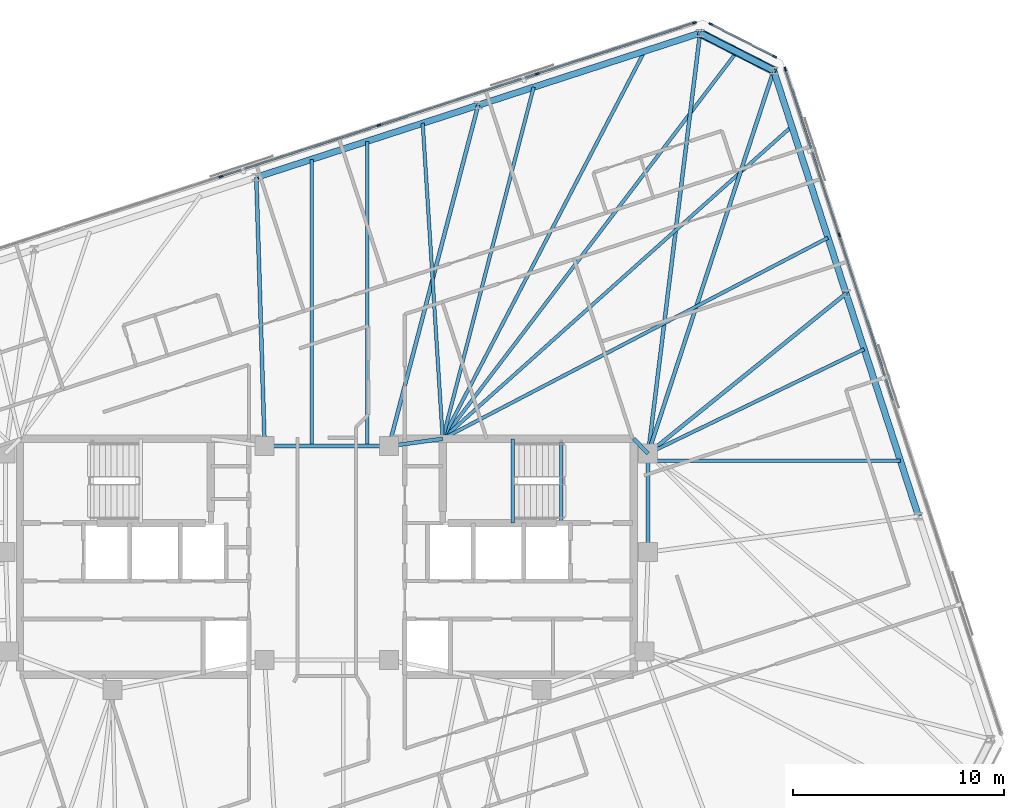
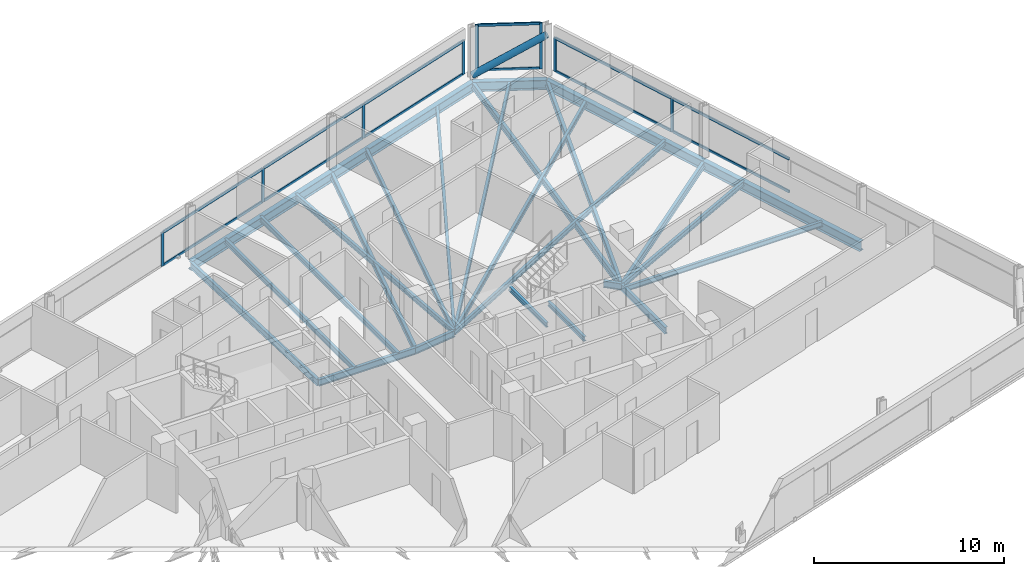
# One storey, part 10 of 19: 26 beams, 21 members, 3 elements without a shape of their own.
"""IFC4 building model written with IfcOpenShell, lengths in metres."""

import ifcopenshell
import ifcopenshell.guid

model = None  # the IFC model being written
_history = None  # IfcOwnerHistory: only IFC2X3 demands one
_inside = {}  # id of a spatial element -> (the spatial element, [elements in it])
_under = {}  # id of a project, library or spatial element -> (it, [spatial elements below it])
_declared = {}  # id of a project -> (the project, [libraries it declares])
_typed = {}  # id of a type object -> (the type object, [elements of that type])
_made_of = {}  # id of a material, layer set ... -> (it, [elements and type objects made of it])


def new_model(schema):
    """Start an empty IFC model of exactly this schema.

    Asked for "IFC4X3", IfcOpenShell would pick the latest addendum, in which some entities
    have other attributes; the version numbers below select the first issue.
    IFC2X3 requires an IfcOwnerHistory on every rooted entity: one is made here for all.
    """
    global model, _history
    if schema == "IFC4X3":
        model = ifcopenshell.file(schema_version=(4, 3, 0, 0))
    else:
        model = ifcopenshell.file(schema=schema)
    _inside.clear()
    _under.clear()
    _declared.clear()
    _typed.clear()
    _made_of.clear()
    _history = None
    if model.schema == "IFC2X3":
        org = make("IfcOrganization", Name="unknown")
        user = make(
            "IfcPersonAndOrganization",
            ThePerson=make("IfcPerson", FamilyName="unknown"),
            TheOrganization=org,
        )
        app = make(
            "IfcApplication",
            ApplicationDeveloper=org,
            Version="unknown",
            ApplicationFullName="unknown",
            ApplicationIdentifier="unknown",
        )
        _history = make(
            "IfcOwnerHistory",
            OwningUser=user,
            OwningApplication=app,
            ChangeAction="ADDED",
            CreationDate=0,
        )
    return model


def make(cls, **values):
    """One entity of the class cls with the attributes given. An attribute that is None is left unset."""
    return model.create_entity(
        cls, **{name: value for name, value in values.items() if value is not None}
    )


def rooted(cls, **values):
    """An entity with a GlobalId (a new one), such as an element, a storey or a relation."""
    return make(cls, GlobalId=ifcopenshell.guid.new(), OwnerHistory=_history, **values)


def si_unit(unit_type, name, prefix=None):
    """IfcSIUnit, for example si_unit("LENGTHUNIT", "METRE", prefix="MILLI")."""
    return make("IfcSIUnit", UnitType=unit_type, Prefix=prefix, Name=name)


def assignment(units):
    """IfcUnitAssignment: the units of a project."""
    return None if units is None else make("IfcUnitAssignment", Units=units)


def point(xyz):
    """IfcCartesianPoint."""
    return None if xyz is None else make("IfcCartesianPoint", Coordinates=xyz)


def direction(xyz):
    """IfcDirection."""
    return None if xyz is None else make("IfcDirection", DirectionRatios=xyz)


def frame(location, z_axis=None, x_axis=None):
    """IfcAxis2Placement3D, a coordinate frame: its origin and axes. An axis left out is left unset."""
    return make(
        "IfcAxis2Placement3D",
        Location=point(location),
        Axis=direction(z_axis),
        RefDirection=direction(x_axis),
    )


def frame_2d(location, x_axis=None):
    """IfcAxis2Placement2D, a coordinate frame in the plane: its origin and x axis."""
    return make(
        "IfcAxis2Placement2D", Location=point(location), RefDirection=direction(x_axis)
    )


def origin():
    """The frame at (0, 0, 0) with its axes left unset."""
    return frame((0.0, 0.0, 0.0))


def origin_2d():
    """The frame at (0, 0) in the plane with its x axis left unset."""
    return frame_2d((0.0, 0.0))


def place(relative_to, where):
    """IfcLocalPlacement: puts the frame where relative to a parent placement (None: the world)."""
    return make(
        "IfcLocalPlacement", PlacementRelTo=relative_to, RelativePlacement=where
    )


def context(
    kind, dimensions, precision=None, world=None, true_north=None, identifier=None
):
    """IfcGeometricRepresentationContext, for example the 3D "Model" context."""
    return make(
        "IfcGeometricRepresentationContext",
        ContextIdentifier=identifier,
        ContextType=kind,
        CoordinateSpaceDimension=dimensions,
        Precision=precision,
        WorldCoordinateSystem=world,
        TrueNorth=true_north,
    )


def subcontext(parent, identifier, kind, view, scale=None):
    """IfcGeometricRepresentationSubContext, for example "Body" below "Model"."""
    return make(
        "IfcGeometricRepresentationSubContext",
        ContextIdentifier=identifier,
        ContextType=kind,
        ParentContext=parent,
        TargetScale=scale,
        TargetView=view,
    )


def project(units=None, contexts=None):
    """IfcProject with its units and contexts."""
    return rooted(
        "IfcProject",
        Name="project",
        RepresentationContexts=contexts,
        UnitsInContext=assignment(units),
    )


def spatial(cls, under=None, at=None, **own):
    """A site, building, storey or space (cls), placed at a placement, below another one or the project."""
    s = rooted(cls, ObjectPlacement=at, **own)
    if under is not None:
        _under.setdefault(under.id(), (under, []))[1].append(s)
    return s


def profile(cls, at=None, kind="AREA", **sizes):
    """A parametric profile (cls). Its sizes go by their IFC names, for example OverallWidth=200.0."""
    return make(cls, ProfileType=kind, Position=at, **sizes)


def rectangle(**sizes):
    """IfcRectangleProfileDef."""
    return profile("IfcRectangleProfileDef", **sizes)


def hollow_circle(**sizes):
    """IfcCircleHollowProfileDef."""
    return profile("IfcCircleHollowProfileDef", **sizes)


def i_section(**sizes):
    """IfcIShapeProfileDef."""
    return profile("IfcIShapeProfileDef", **sizes)


def extrude(swept, where, along, depth):
    """IfcExtrudedAreaSolid: the profile swept, set in the frame where, extruded along a direction by depth."""
    return make(
        "IfcExtrudedAreaSolid",
        SweptArea=swept,
        Position=where,
        ExtrudedDirection=direction(along),
        Depth=depth,
    )


def shape(context_of_items, identifier, shape_type, items):
    """IfcShapeRepresentation: the items that make up one representation, for example the "Body"."""
    return make(
        "IfcShapeRepresentation",
        ContextOfItems=context_of_items,
        RepresentationIdentifier=identifier,
        RepresentationType=shape_type,
        Items=items,
    )


def material(Name=None, Category=None):
    """IfcMaterial."""
    return make("IfcMaterial", Name=Name, Category=Category)


def material_profile(
    of_material, cross_section, Name=None, Category=None, Priority=None
):
    """IfcMaterialProfile: a cross section and its material."""
    return make(
        "IfcMaterialProfile",
        Name=Name,
        Material=of_material,
        Profile=cross_section,
        Priority=Priority,
        Category=Category,
    )


def profile_set(profiles, Name=None, composite=None):
    """IfcMaterialProfileSet."""
    return make(
        "IfcMaterialProfileSet",
        Name=Name,
        MaterialProfiles=profiles,
        CompositeProfile=composite,
    )


def made_of(thing, what):
    """Note that an element or type object is made of a material, layer set ...; save() writes the relation."""
    if what is not None:
        _made_of.setdefault(what.id(), (what, []))[1].append(thing)
    return thing


def type_object(cls, material=None, **own):
    """A type object (cls), such as IfcWallType, which elements share."""
    return made_of(rooted(cls, **own), material)


def element(
    cls,
    number,
    at=None,
    inside=None,
    cuts=None,
    type_object=None,
    material=None,
    context=None,
    identifier="Body",
    shape_type=None,
    held_by="IfcProductDefinitionShape",
    body=None,
    shapes=None,
    **own,
):
    """One element of the class cls, such as IfcWall. Its Tag is "e" and its number.

    at: its placement. inside: the storey or other place that contains it. cuts: it is an
    opening in that element (IfcRelVoidsElement). A single representation is given by context,
    identifier, shape_type and body (its items); several are given by shapes. held_by: the class
    of the entity that holds the representations. save() writes the other relations.
    """
    e = rooted(cls, Tag="e%d" % number, ObjectPlacement=at, **own)
    if body is not None:
        shapes = [shape(context, identifier, shape_type, body)]
    if shapes is not None:
        e.Representation = make(held_by, Representations=shapes)
    if inside is not None:
        _inside.setdefault(inside.id(), (inside, []))[1].append(e)
    if cuts is not None:
        rooted(
            "IfcRelVoidsElement", RelatingBuildingElement=cuts, RelatedOpeningElement=e
        )
    if type_object is not None:
        _typed.setdefault(type_object.id(), (type_object, []))[1].append(e)
    return made_of(e, material)


def aggregate(whole, parts):
    """IfcRelAggregates: a whole, such as a stair, and the parts it consists of."""
    return rooted("IfcRelAggregates", RelatingObject=whole, RelatedObjects=parts)


def save(model, path):
    """Write the relations noted so far, then the file.

    IfcRelAggregates (storeys below a building ...), IfcRelContainedInSpatialStructure (elements
    in a storey), IfcRelDefinesByType, IfcRelAssociatesMaterial and IfcRelDeclares: one each for
    every whole, place, type object, material and project.
    """
    for whole, parts in _under.values():
        aggregate(whole, parts)
    for where, things in _inside.values():
        rooted(
            "IfcRelContainedInSpatialStructure",
            RelatedElements=things,
            RelatingStructure=where,
        )
    for kind, things in _typed.values():
        rooted("IfcRelDefinesByType", RelatedObjects=things, RelatingType=kind)
    for what, things in _made_of.values():
        rooted("IfcRelAssociatesMaterial", RelatedObjects=things, RelatingMaterial=what)
    for by, libraries in _declared.values():
        rooted("IfcRelDeclares", RelatingContext=by, RelatedDefinitions=libraries)
    model.write(path)


model = new_model("IFC4")

# Units and contexts
model_context = context("Model", 3, precision=1e-05, world=origin(), true_north=direction((0.0, 1.0)))
body_context = subcontext(model_context, "Body", "Model", "MODEL_VIEW")
ifc_project = project(units=[si_unit("LENGTHUNIT", "METRE"), si_unit("AREAUNIT", "SQUARE_METRE"), si_unit("VOLUMEUNIT", "CUBIC_METRE"), si_unit("PLANEANGLEUNIT", "RADIAN"), si_unit("MASSUNIT", "GRAM", prefix="KILO")], contexts=[model_context])

# Site, building, storey
site_placement = place(None, origin())
site = spatial("IfcSite", under=ifc_project, at=site_placement, CompositionType="ELEMENT")
building_placement = place(site_placement, origin())
building = spatial("IfcBuilding", under=site, at=building_placement, Name="Menara Jurai Vektor", CompositionType="ELEMENT")
storey_placement = place(building_placement, frame((0.0, 0.0, 251.10009765625)))
storey = spatial("IfcBuildingStorey", under=building, at=storey_placement, Name="L67", CompositionType="ELEMENT", Elevation=251.10009765625)

# Curtain wall, members
ifc_material_1 = material(Name="Anodised Pale Aluminium & Low-E Double Glazing", Category="aluminium")
curtain_wall_type = type_object("IfcCurtainWallType", Name="CW-BLK4", PredefinedType="NOTDEFINED", material=ifc_material_1)
curtain_wall_1_placement = place(storey_placement, origin())
curtain_wall_1 = element("IfcCurtainWall", 1, at=curtain_wall_1_placement, inside=storey, type_object=curtain_wall_type, Name="Unitised Curtain Wall L67 F03", PredefinedType="NOTDEFINED")
ifc_material_2 = material(Name="Anodised Pale Aluminium Mullion", Category="aluminium")
ifc_material_profile_1 = material_profile(ifc_material_2, rectangle(XDim=0.080078125, YDim=0.18994140625, at=origin_2d()), Name="ALU MUL 80x190")
ifc_profile_set_1 = profile_set([ifc_material_profile_1], Name="Anodised Pale Aluminium Mullion")
member_type_1 = type_object("IfcMemberType", Name="CW-BLK4-MUL", PredefinedType="MULLION", material=ifc_profile_set_1)
member_1_placement = place(storey_placement, frame((24.31494140625, 15.28271484375, 0.0), z_axis=(0.0, 0.0, 1.0), x_axis=(-0.95105668295, -0.309016481464, 0.0)))
member_1 = element("IfcMember", 2, at=member_1_placement, type_object=member_type_1, Name="CW-04 mullion 4", PredefinedType="MULLION", context=body_context, shape_type="SweptSolid", body=[
    extrude(rectangle(XDim=0.080078125, YDim=0.18994140625, at=origin_2d()), origin(), (0.0, 0.0, 1.0), 2.1748046875),
])
member_2_placement = place(storey_placement, frame((21.75927734375, 23.14794921875, 0.0), z_axis=(0.0, 0.0, 1.0), x_axis=(-0.95105668295, -0.309016481464, 0.0)))
member_2 = element("IfcMember", 3, at=member_2_placement, type_object=member_type_1, Name="CW-04 mullion 5", PredefinedType="MULLION", context=body_context, shape_type="SweptSolid", body=[
    extrude(rectangle(XDim=0.080078125, YDim=0.18994140625, at=origin_2d()), origin(), (0.0, 0.0, 1.0), 2.1748046875),
])

curtain_wall_2_placement = place(storey_placement, origin())
curtain_wall_2 = element("IfcCurtainWall", 4, at=curtain_wall_2_placement, inside=storey, type_object=curtain_wall_type, Name="Unitised Curtain Wall L67 F04", PredefinedType="NOTDEFINED")
member_3_placement = place(storey_placement, frame((21.25537109375, 23.73828125, 0.0), z_axis=(0.0, 0.0, 1.0), x_axis=(-0.453988579828, -0.89100750243, 0.0)))
member_3 = element("IfcMember", 5, at=member_3_placement, type_object=member_type_1, Name="CW-04 mullion 1", PredefinedType="MULLION", context=body_context, shape_type="SweptSolid", body=[
    extrude(rectangle(XDim=0.080078125, YDim=0.18994140625, at=origin_2d()), origin(), (0.0, 0.0, 1.0), 2.94482421875),
])
member_4_placement = place(storey_placement, frame((18.223388671875, 25.282958984375, 0.0), z_axis=(0.0, 0.0, 1.0), x_axis=(-0.453988579828, -0.89100750243, 0.0)))
member_4 = element("IfcMember", 6, at=member_4_placement, type_object=member_type_1, Name="CW-04 mullion 2", PredefinedType="MULLION", context=body_context, shape_type="SweptSolid", body=[
    extrude(rectangle(XDim=0.080078125, YDim=0.18994140625, at=origin_2d()), origin(), (0.0, 0.0, 1.0), 2.94482421875),
])

curtain_wall_3_placement = place(storey_placement, origin())
curtain_wall_3 = element("IfcCurtainWall", 7, at=curtain_wall_3_placement, inside=storey, type_object=curtain_wall_type, Name="Unitised Curtain Wall L67 F05", PredefinedType="NOTDEFINED")
member_5_placement = place(storey_placement, frame((17.44970703125, 25.34375, 0.0), z_axis=(0.0, 0.0, 1.0), x_axis=(0.309017344167, -0.951056402641, 0.0)))
member_5 = element("IfcMember", 8, at=member_5_placement, type_object=member_type_1, Name="CW-04 mullion 1", PredefinedType="MULLION", context=body_context, shape_type="SweptSolid", body=[
    extrude(rectangle(XDim=0.080078125, YDim=0.18994140625, at=origin_2d()), origin(), (0.0, 0.0, 1.0), 2.1748046875),
])
member_6_placement = place(storey_placement, frame((9.982666015625, 22.917724609375, 0.0), z_axis=(0.0, 0.0, 1.0), x_axis=(0.309017344167, -0.951056402641, 0.0)))
member_6 = element("IfcMember", 9, at=member_6_placement, type_object=member_type_1, Name="CW-04 mullion 2", PredefinedType="MULLION", context=body_context, shape_type="SweptSolid", body=[
    extrude(rectangle(XDim=0.080078125, YDim=0.18994140625, at=origin_2d()), origin(), (0.0, 0.0, 1.0), 2.1748046875),
])
member_7_placement = place(storey_placement, frame((2.4775390625, 20.47900390625, 0.0), z_axis=(0.0, 0.0, 1.0), x_axis=(0.309017344167, -0.951056402641, 0.0)))
member_7 = element("IfcMember", 10, at=member_7_placement, type_object=member_type_1, Name="CW-04 mullion 3", PredefinedType="MULLION", context=body_context, shape_type="SweptSolid", body=[
    extrude(rectangle(XDim=0.080078125, YDim=0.18994140625, at=origin_2d()), origin(), (0.0, 0.0, 1.0), 2.1748046875),
])
member_8_placement = place(storey_placement, frame((-5.02783203125, 18.04052734375, 0.0), z_axis=(0.0, 0.0, 1.0), x_axis=(0.309017344167, -0.951056402641, 0.0)))
member_8 = element("IfcMember", 11, at=member_8_placement, type_object=member_type_1, Name="CW-04 mullion 4", PredefinedType="MULLION", context=body_context, shape_type="SweptSolid", body=[
    extrude(rectangle(XDim=0.080078125, YDim=0.18994140625, at=origin_2d()), origin(), (0.0, 0.0, 1.0), 2.1748046875),
])

# Member
ifc_material_3 = material(Name="Anodised Pale Aluminium Transom", Category="aluminium")
ifc_material_profile_2 = material_profile(ifc_material_3, rectangle(XDim=0.080078125, YDim=0.1650390625, at=origin_2d()), Name="ALU TRN 80x165")
ifc_profile_set_2 = profile_set([ifc_material_profile_2], Name="Anodised Pale Aluminium Transom")
member_type_2 = type_object("IfcMemberType", Name="CW-BLK4-TRN", PredefinedType="USERDEFINED", material=ifc_profile_set_2)
member_9_placement = place(storey_placement, frame((26.870361328125, 7.41748046875, 0.039794921875), z_axis=(-0.309010276303, 0.951058699103, 0.0), x_axis=(-0.951058699103, -0.309010276303, 0.0)))
member_9 = element("IfcMember", 12, at=member_9_placement, type_object=member_type_2, Name="CW-04 transom 3.1", ObjectType="TRANSOM", PredefinedType="USERDEFINED", context=body_context, shape_type="SweptSolid", body=[
    extrude(rectangle(XDim=0.080078125, YDim=0.1650390625, at=origin_2d()), origin(), (0.0, 0.0, 1.0), 8.230224609375),
])

member_10_placement = place(storey_placement, frame((26.870361328125, 7.41748046875, 2.135009765625), z_axis=(-0.309010276303, 0.951058699103, 0.0), x_axis=(-0.951058699103, -0.309010276303, 0.0)))
member_10 = element("IfcMember", 13, at=member_10_placement, type_object=member_type_2, Name="CW-04 transom 3.2", ObjectType="TRANSOM", PredefinedType="USERDEFINED", context=body_context, shape_type="SweptSolid", body=[
    extrude(rectangle(XDim=0.080078125, YDim=0.1650390625, at=origin_2d()), origin(), (0.0, 0.0, 1.0), 8.230224609375),
])

member_11_placement = place(storey_placement, frame((24.302490234375, 15.32080078125, 0.039794921875), z_axis=(-0.309001816839, 0.951061447642, 0.0), x_axis=(-0.951061447642, -0.309001816839, 0.0)))
member_11 = element("IfcMember", 14, at=member_11_placement, type_object=member_type_2, Name="CW-04 transom 4.1", ObjectType="TRANSOM", PredefinedType="USERDEFINED", context=body_context, shape_type="SweptSolid", body=[
    extrude(rectangle(XDim=0.080078125, YDim=0.1650390625, at=origin_2d()), origin(), (0.0, 0.0, 1.0), 8.190185546875),
])

member_12_placement = place(storey_placement, frame((24.302490234375, 15.32080078125, 2.135009765625), z_axis=(-0.309001816839, 0.951061447642, 0.0), x_axis=(-0.951061447642, -0.309001816839, 0.0)))
member_12 = element("IfcMember", 15, at=member_12_placement, type_object=member_type_2, Name="CW-04 transom 4.2", ObjectType="TRANSOM", PredefinedType="USERDEFINED", context=body_context, shape_type="SweptSolid", body=[
    extrude(rectangle(XDim=0.080078125, YDim=0.1650390625, at=origin_2d()), origin(), (0.0, 0.0, 1.0), 8.190185546875),
])

aggregate(curtain_wall_1, [member_1, member_2, member_9, member_10, member_11, member_12])

member_13_placement = place(storey_placement, frame((21.2197265625, 23.75634765625, 0.039794921875), z_axis=(-0.89100697374, 0.453989617444, 0.0), x_axis=(-0.453989617444, -0.89100697374, 0.0)))
member_13 = element("IfcMember", 16, at=member_13_placement, type_object=member_type_2, Name="CW-04 transom 1.1", ObjectType="TRANSOM", PredefinedType="USERDEFINED", context=body_context, shape_type="SweptSolid", body=[
    extrude(rectangle(XDim=0.080078125, YDim=0.1650390625, at=origin_2d()), origin(), (0.0, 0.0, 1.0), 3.32275390625),
])

member_14_placement = place(storey_placement, frame((21.2197265625, 23.75634765625, 2.90478515625), z_axis=(-0.89100697374, 0.453989617444, 0.0), x_axis=(-0.453989617444, -0.89100697374, 0.0)))
member_14 = element("IfcMember", 17, at=member_14_placement, type_object=member_type_2, Name="CW-04 transom 1.2", ObjectType="TRANSOM", PredefinedType="USERDEFINED", context=body_context, shape_type="SweptSolid", body=[
    extrude(rectangle(XDim=0.080078125, YDim=0.1650390625, at=origin_2d()), origin(), (0.0, 0.0, 1.0), 3.32275390625),
])

aggregate(curtain_wall_2, [member_3, member_4, member_13, member_14])

member_15_placement = place(storey_placement, frame((17.41162109375, 25.33154296875, 0.039794921875), z_axis=(-0.951049997348, -0.309037056912, 0.0), x_axis=(0.309037056912, -0.951049997348, 0.0)))
member_15 = element("IfcMember", 18, at=member_15_placement, type_object=member_type_2, Name="CW-04 transom 1.1", ObjectType="TRANSOM", PredefinedType="USERDEFINED", context=body_context, shape_type="SweptSolid", body=[
    extrude(rectangle(XDim=0.080078125, YDim=0.1650390625, at=origin_2d()), origin(), (0.0, 0.0, 1.0), 7.771240234375),
])

member_16_placement = place(storey_placement, frame((17.41162109375, 25.33154296875, 2.135009765625), z_axis=(-0.951049997348, -0.309037056912, 0.0), x_axis=(0.309037056912, -0.951049997348, 0.0)))
member_16 = element("IfcMember", 19, at=member_16_placement, type_object=member_type_2, Name="CW-04 transom 1.2", ObjectType="TRANSOM", PredefinedType="USERDEFINED", context=body_context, shape_type="SweptSolid", body=[
    extrude(rectangle(XDim=0.080078125, YDim=0.1650390625, at=origin_2d()), origin(), (0.0, 0.0, 1.0), 7.771240234375),
])

member_17_placement = place(storey_placement, frame((9.944580078125, 22.9052734375, 0.039794921875), z_axis=(-0.951059330237, -0.309008333817, 0.0), x_axis=(0.309008333817, -0.951059330237, 0.0)))
member_17 = element("IfcMember", 20, at=member_17_placement, type_object=member_type_2, Name="CW-04 transom 2.1", ObjectType="TRANSOM", PredefinedType="USERDEFINED", context=body_context, shape_type="SweptSolid", body=[
    extrude(rectangle(XDim=0.080078125, YDim=0.1650390625, at=origin_2d()), origin(), (0.0, 0.0, 1.0), 7.8115234375),
])

member_18_placement = place(storey_placement, frame((9.944580078125, 22.9052734375, 2.135009765625), z_axis=(-0.951059330237, -0.309008333817, 0.0), x_axis=(0.309008333817, -0.951059330237, 0.0)))
member_18 = element("IfcMember", 21, at=member_18_placement, type_object=member_type_2, Name="CW-04 transom 2.2", ObjectType="TRANSOM", PredefinedType="USERDEFINED", context=body_context, shape_type="SweptSolid", body=[
    extrude(rectangle(XDim=0.080078125, YDim=0.1650390625, at=origin_2d()), origin(), (0.0, 0.0, 1.0), 7.8115234375),
])

member_19_placement = place(storey_placement, frame((2.439453125, 20.466552734375, 0.039794921875), z_axis=(-0.951059330237, -0.309008333817, 0.0), x_axis=(0.309008333817, -0.951059330237, 0.0)))
member_19 = element("IfcMember", 22, at=member_19_placement, type_object=member_type_2, Name="CW-04 transom 3.1", ObjectType="TRANSOM", PredefinedType="USERDEFINED", context=body_context, shape_type="SweptSolid", body=[
    extrude(rectangle(XDim=0.080078125, YDim=0.1650390625, at=origin_2d()), origin(), (0.0, 0.0, 1.0), 7.8115234375),
])

member_20_placement = place(storey_placement, frame((2.439453125, 20.466552734375, 2.135009765625), z_axis=(-0.951059330237, -0.309008333817, 0.0), x_axis=(0.309008333817, -0.951059330237, 0.0)))
member_20 = element("IfcMember", 23, at=member_20_placement, type_object=member_type_2, Name="CW-04 transom 3.2", ObjectType="TRANSOM", PredefinedType="USERDEFINED", context=body_context, shape_type="SweptSolid", body=[
    extrude(rectangle(XDim=0.080078125, YDim=0.1650390625, at=origin_2d()), origin(), (0.0, 0.0, 1.0), 7.8115234375),
])

aggregate(curtain_wall_3, [member_5, member_6, member_7, member_8, member_15, member_16, member_17, member_18, member_19, member_20])

# Beams
ifc_material_4 = material(Name="Steel S355", Category="steel")
ifc_material_profile_3 = material_profile(ifc_material_4, i_section(OverallWidth=0.18505859375, OverallDepth=0.429931640625, WebThickness=0.010986328125, FlangeThickness=0.01806640625, at=origin_2d()), Name="PG 430x185x76")
ifc_profile_set_3 = profile_set([ifc_material_profile_3], Name="Steel S355")
beam_type_1 = type_object("IfcBeamType", Name="STR-BM-430", PredefinedType="BEAM", material=ifc_profile_set_3)
beam_1_placement = place(storey_placement, frame((2.949951171875, 5.25, -0.440185546875), z_axis=(0.990706818608, 0.136014703483, 0.0), x_axis=(-0.136014703483, 0.990706818608, 0.0)))
element("IfcBeam", 24, at=beam_1_placement, inside=storey, type_object=beam_type_1, Name="Core Ring Header Girder L67-CHE-N1", PredefinedType="BEAM", context=body_context, shape_type="SweptSolid", body=[
    extrude(i_section(OverallWidth=0.18505859375, OverallDepth=0.429931640625, WebThickness=0.010986328125, FlangeThickness=0.01806640625, at=origin_2d()), origin(), (0.0, 0.0, 1.0), 2.573974609375),
])
beam_2_placement = place(storey_placement, frame((14.56005859375, 5.60009765625, -0.440185546875), z_axis=(0.701871936926, -0.712303154672, 0.0), x_axis=(0.712303154672, 0.701871936926, 0.0)))
element("IfcBeam", 25, at=beam_2_placement, inside=storey, type_object=beam_type_1, Name="Core Ring Header Girder L67-CHE-N2", PredefinedType="BEAM", context=body_context, shape_type="SweptSolid", body=[
    extrude(i_section(OverallWidth=0.18505859375, OverallDepth=0.429931640625, WebThickness=0.010986328125, FlangeThickness=0.01806640625, at=origin_2d()), origin(), (0.0, 0.0, 1.0), 0.98291015625),
])
beam_3_placement = place(storey_placement, frame((15.25, 0.219970703125, -0.440185546875), z_axis=(0.0, 1.0, 0.0), x_axis=(-1.0, 0.0, 0.0)))
element("IfcBeam", 26, at=beam_3_placement, inside=storey, type_object=beam_type_1, Name="Core Ring Header Girder L67-CHE-E1", PredefinedType="BEAM", context=body_context, shape_type="SweptSolid", body=[
    extrude(i_section(OverallWidth=0.18505859375, OverallDepth=0.429931640625, WebThickness=0.010986328125, FlangeThickness=0.01806640625, at=origin_2d()), origin(), (0.0, 0.0, 1.0), 4.679931640625),
])
beam_4_placement = place(storey_placement, frame((-2.949951171875, 5.25, -0.440185546875), z_axis=(1.0, 0.0, 0.0), x_axis=(0.0, 1.0, 0.0)))
element("IfcBeam", 27, at=beam_4_placement, inside=storey, type_object=beam_type_1, Name="Core Ring Header Girder L67-CC-2", PredefinedType="BEAM", context=body_context, shape_type="SweptSolid", body=[
    extrude(i_section(OverallWidth=0.18505859375, OverallDepth=0.429931640625, WebThickness=0.010986328125, FlangeThickness=0.01806640625, at=origin_2d()), origin(), (0.0, 0.0, 1.0), 5.89990234375),
])
beam_5_placement = place(storey_placement, frame((24.641845703125, 12.496826171875, -0.440185546875), z_axis=(-0.777487674144, -0.628898176619, 0.0), x_axis=(0.628898176619, -0.777487674144, 0.0)))
element("IfcBeam", 28, at=beam_5_placement, inside=storey, type_object=beam_type_1, Name="Radial Floor Girder L67-E3", PredefinedType="BEAM", context=body_context, shape_type="SweptSolid", body=[
    extrude(i_section(OverallWidth=0.18505859375, OverallDepth=0.429931640625, WebThickness=0.010986328125, FlangeThickness=0.01806640625, at=origin_2d()), origin(), (0.0, 0.0, 1.0), 12.079833984375),
])
beam_6_placement = place(storey_placement, frame((21.205810546875, 23.071044921875, -0.440185546875), z_axis=(-0.311459010005, -0.950259588263, 0.0), x_axis=(0.950259588263, -0.311459010005, 0.0)))
element("IfcBeam", 29, at=beam_6_placement, inside=storey, type_object=beam_type_1, Name="Radial Floor Girder L67-E4", PredefinedType="BEAM", context=body_context, shape_type="SweptSolid", body=[
    extrude(i_section(OverallWidth=0.18505859375, OverallDepth=0.429931640625, WebThickness=0.010986328125, FlangeThickness=0.01806640625, at=origin_2d()), origin(), (0.0, 0.0, 1.0), 19.122314453125),
])
beam_7_placement = place(storey_placement, frame((17.712890625, 24.85107421875, -0.440185546875), z_axis=(-0.122515938756, -0.99246654591, 0.0), x_axis=(0.99246654591, -0.122515938756, 0.0)))
element("IfcBeam", 30, at=beam_7_placement, inside=storey, type_object=beam_type_1, Name="Radial Floor Girder L67-N1", PredefinedType="BEAM", context=body_context, shape_type="SweptSolid", body=[
    extrude(i_section(OverallWidth=0.18505859375, OverallDepth=0.429931640625, WebThickness=0.010986328125, FlangeThickness=0.01806640625, at=origin_2d()), origin(), (0.0, 0.0, 1.0), 20.1025390625),
])
beam_8_placement = place(storey_placement, frame((7.18359375, 21.4296875, -0.440185546875), z_axis=(-0.253141463003, -0.96742927375, 0.0), x_axis=(0.96742927375, -0.253141463003, 0.0)))
element("IfcBeam", 31, at=beam_8_placement, inside=storey, type_object=beam_type_1, Name="Radial Floor Girder L67-N2", PredefinedType="BEAM", context=body_context, shape_type="SweptSolid", body=[
    extrude(i_section(OverallWidth=0.18505859375, OverallDepth=0.429931640625, WebThickness=0.010986328125, FlangeThickness=0.01806640625, at=origin_2d()), origin(), (0.0, 0.0, 1.0), 16.724365234375),
])
beam_9_placement = place(storey_placement, frame((-3.345703125, 18.008544921875, -0.440185546875), z_axis=(0.031003668991, -0.999519270704, 0.0), x_axis=(0.999519270704, 0.031003668991, 0.0)))
element("IfcBeam", 32, at=beam_9_placement, inside=storey, type_object=beam_type_1, Name="Radial Floor Girder L67-N3", PredefinedType="BEAM", context=body_context, shape_type="SweptSolid", body=[
    extrude(i_section(OverallWidth=0.18505859375, OverallDepth=0.429931640625, WebThickness=0.010986328125, FlangeThickness=0.01806640625, at=origin_2d()), origin(), (0.0, 0.0, 1.0), 12.7646484375),
])

# Member
ifc_material_5 = material(Name="Steel S460", Category="steel")
ifc_material_profile_4 = material_profile(ifc_material_5, hollow_circle(Radius=0.203125, WallThickness=0.01611328125, at=origin_2d()), Name="CHS 406.4x16")
ifc_profile_set_4 = profile_set([ifc_material_profile_4], Name="Steel S460")
member_type_3 = type_object("IfcMemberType", Name="STR-BR-406", PredefinedType="BRACE", material=ifc_profile_set_4)
member_21_placement = place(storey_placement, frame((17.712890625, 24.85107421875, 0.14990234375), z_axis=(0.75601361606, -0.385245685959, 0.529177828127), x_axis=(0.454025593397, 0.890988642206, 0.0)))
element("IfcMember", 33, at=member_21_placement, inside=storey, type_object=member_type_3, Name="Exoskeleton Corner Brace L67-2", PredefinedType="BRACE", context=body_context, shape_type="SweptSolid", body=[
    extrude(hollow_circle(Radius=0.203125, WallThickness=0.01611328125, at=origin_2d()), origin(), (0.0, 0.0, 1.0), 4.62060546875),
])

# Beams
ifc_material_profile_5 = material_profile(ifc_material_4, i_section(OverallWidth=0.1650390625, OverallDepth=0.330078125, WebThickness=0.009033203125, FlangeThickness=0.013916015625, at=origin_2d()), Name="PG 330x165x46")
ifc_profile_set_5 = profile_set([ifc_material_profile_5], Name="Steel S355")
beam_type_2 = type_object("IfcBeamType", Name="STR-JS-330", PredefinedType="JOIST", material=ifc_profile_set_5)
beam_10_placement = place(storey_placement, frame((27.218505859375, 4.56591796875, -0.39013671875), z_axis=(-1.0, 0.0, 0.0), x_axis=(0.0, -1.0, 0.0)))
element("IfcBeam", 34, at=beam_10_placement, inside=storey, type_object=beam_type_2, Name="Radial Secondary Floor Joist L67-JS11", PredefinedType="JOIST", context=body_context, shape_type="SweptSolid", body=[
    extrude(i_section(OverallWidth=0.1650390625, OverallDepth=0.330078125, WebThickness=0.009033203125, FlangeThickness=0.013916015625, at=origin_2d()), origin(), (0.0, 0.0, 1.0), 11.968505859375),
])
beam_11_placement = place(storey_placement, frame((25.500732421875, 9.853271484375, -0.39013671875), z_axis=(-0.900388578627, -0.435086666629, 0.0), x_axis=(0.435086666629, -0.900388578627, 0.0)))
element("IfcBeam", 35, at=beam_11_placement, inside=storey, type_object=beam_type_2, Name="Radial Secondary Floor Joist L67-JS12", PredefinedType="JOIST", context=body_context, shape_type="SweptSolid", body=[
    extrude(i_section(OverallWidth=0.1650390625, OverallDepth=0.330078125, WebThickness=0.009033203125, FlangeThickness=0.013916015625, at=origin_2d()), origin(), (0.0, 0.0, 1.0), 11.384765625),
])
beam_12_placement = place(storey_placement, frame((23.78271484375, 15.140380859375, -0.39013671875), z_axis=(-0.886555502614, -0.462622244153, 0.0), x_axis=(0.462622244153, -0.886555502614, 0.0)))
element("IfcBeam", 36, at=beam_12_placement, inside=storey, type_object=beam_type_2, Name="Radial Secondary Floor Joist L67-JS13", PredefinedType="JOIST", context=body_context, shape_type="SweptSolid", body=[
    extrude(i_section(OverallWidth=0.1650390625, OverallDepth=0.330078125, WebThickness=0.009033203125, FlangeThickness=0.013916015625, at=origin_2d()), origin(), (0.0, 0.0, 1.0), 20.6220703125),
])
beam_13_placement = place(storey_placement, frame((22.06494140625, 20.427490234375, -0.39013671875), z_axis=(-0.745104297608, -0.666947963252, 0.0), x_axis=(0.666947963252, -0.745104297608, 0.0)))
element("IfcBeam", 37, at=beam_13_placement, inside=storey, type_object=beam_type_2, Name="Radial Secondary Floor Joist L67-JS14", PredefinedType="JOIST", context=body_context, shape_type="SweptSolid", body=[
    extrude(i_section(OverallWidth=0.1650390625, OverallDepth=0.330078125, WebThickness=0.009033203125, FlangeThickness=0.013916015625, at=origin_2d()), origin(), (0.0, 0.0, 1.0), 22.231689453125),
])
beam_14_placement = place(storey_placement, frame((19.45947265625, 23.9609375, -0.39013671875), z_axis=(-0.605227110118, -0.796052853257, 0.0), x_axis=(0.796052853257, -0.605227110118, 0.0)))
element("IfcBeam", 38, at=beam_14_placement, inside=storey, type_object=beam_type_2, Name="Radial Secondary Floor Joist L67-JS15", PredefinedType="JOIST", context=body_context, shape_type="SweptSolid", body=[
    extrude(i_section(OverallWidth=0.1650390625, OverallDepth=0.330078125, WebThickness=0.009033203125, FlangeThickness=0.013916015625, at=origin_2d()), origin(), (0.0, 0.0, 1.0), 23.06494140625),
])
beam_15_placement = place(storey_placement, frame((15.08056640625, 23.99560546875, -0.39013671875), z_axis=(-0.461918215026, -0.886922523464, 0.0), x_axis=(0.886922523464, -0.461918215026, 0.0)))
element("IfcBeam", 39, at=beam_15_placement, inside=storey, type_object=beam_type_2, Name="Radial Secondary Floor Joist L67-JS16", PredefinedType="JOIST", context=body_context, shape_type="SweptSolid", body=[
    extrude(i_section(OverallWidth=0.1650390625, OverallDepth=0.330078125, WebThickness=0.009033203125, FlangeThickness=0.013916015625, at=origin_2d()), origin(), (0.0, 0.0, 1.0), 20.74072265625),
])
beam_16_placement = place(storey_placement, frame((9.81591796875, 22.28515625, -0.39013671875), z_axis=(-0.250427234151, -0.968135424616, 0.0), x_axis=(0.968135424616, -0.250427234151, 0.0)))
element("IfcBeam", 40, at=beam_16_placement, inside=storey, type_object=beam_type_2, Name="Radial Secondary Floor Joist L67-JS17", PredefinedType="JOIST", context=body_context, shape_type="SweptSolid", body=[
    extrude(i_section(OverallWidth=0.1650390625, OverallDepth=0.330078125, WebThickness=0.009033203125, FlangeThickness=0.013916015625, at=origin_2d()), origin(), (0.0, 0.0, 1.0), 17.234130859375),
])
beam_17_placement = place(storey_placement, frame((4.55126953125, 20.574462890625, -0.39013671875), z_axis=(0.063230194737, -0.997998969175, 0.0), x_axis=(0.997998969175, 0.063230194737, 0.0)))
element("IfcBeam", 41, at=beam_17_placement, inside=storey, type_object=beam_type_2, Name="Radial Secondary Floor Joist L67-JS18", PredefinedType="JOIST", context=body_context, shape_type="SweptSolid", body=[
    extrude(i_section(OverallWidth=0.1650390625, OverallDepth=0.330078125, WebThickness=0.009033203125, FlangeThickness=0.013916015625, at=origin_2d()), origin(), (0.0, 0.0, 1.0), 15.00439453125),
])
beam_18_placement = place(storey_placement, frame((1.9189453125, 19.71923828125, -0.39013671875), z_axis=(0.0, -1.0, 0.0), x_axis=(1.0, 0.0, 0.0)))
element("IfcBeam", 42, at=beam_18_placement, inside=storey, type_object=beam_type_2, Name="Radial Secondary Floor Joist L67-JS19", PredefinedType="JOIST", context=body_context, shape_type="SweptSolid", body=[
    extrude(i_section(OverallWidth=0.1650390625, OverallDepth=0.330078125, WebThickness=0.009033203125, FlangeThickness=0.013916015625, at=origin_2d()), origin(), (0.0, 0.0, 1.0), 14.46923828125),
])
beam_19_placement = place(storey_placement, frame((-0.71337890625, 18.864013671875, -0.39013671875), z_axis=(0.0, -1.0, 0.0), x_axis=(1.0, 0.0, 0.0)))
element("IfcBeam", 43, at=beam_19_placement, inside=storey, type_object=beam_type_2, Name="Radial Secondary Floor Joist L67-JS20", PredefinedType="JOIST", context=body_context, shape_type="SweptSolid", body=[
    extrude(i_section(OverallWidth=0.1650390625, OverallDepth=0.330078125, WebThickness=0.009033203125, FlangeThickness=0.013916015625, at=origin_2d()), origin(), (0.0, 0.0, 1.0), 13.614013671875),
])
ifc_material_profile_6 = material_profile(ifc_material_4, i_section(OverallWidth=0.1650390625, OverallDepth=0.302978515625, WebThickness=0.006103515625, FlangeThickness=0.010009765625, FilletRadius=0.009033203125, at=origin_2d()), Name="UKB 305x165x40")
ifc_profile_set_6 = profile_set([ifc_material_profile_6], Name="Steel S355")
beam_type_3 = type_object("IfcBeamType", Name="STR-LN-305", PredefinedType="LINTEL", material=ifc_profile_set_6)
beam_20_placement = place(storey_placement, frame((11.1201171875, 1.60009765625, -0.376708984375), z_axis=(0.0, 1.0, 0.0), x_axis=(-1.0, 0.0, 0.0)))
element("IfcBeam", 44, at=beam_20_placement, inside=storey, type_object=beam_type_3, Name="Stair Well Floor Trimmer ST2 L67", PredefinedType="LINTEL", context=body_context, shape_type="SweptSolid", body=[
    extrude(i_section(OverallWidth=0.1650390625, OverallDepth=0.302978515625, WebThickness=0.006103515625, FlangeThickness=0.010009765625, FilletRadius=0.009033203125, at=origin_2d()), origin(), (0.0, 0.0, 1.0), 3.81982421875),
])
beam_21_placement = place(storey_placement, frame((8.830078125, 1.60009765625, 1.323486328125), z_axis=(0.0, 1.0, 0.0), x_axis=(-1.0, 0.0, 0.0)))
element("IfcBeam", 45, at=beam_21_placement, inside=storey, type_object=beam_type_3, Name="Stair Half-Landing Nosing Trimmer ST2-1 L67", PredefinedType="LINTEL", context=body_context, shape_type="SweptSolid", body=[
    extrude(i_section(OverallWidth=0.1650390625, OverallDepth=0.302978515625, WebThickness=0.006103515625, FlangeThickness=0.010009765625, FilletRadius=0.009033203125, at=origin_2d()), origin(), (0.0, 0.0, 1.0), 4.0),
])
ifc_material_profile_7 = material_profile(ifc_material_4, i_section(OverallWidth=0.306884765625, OverallDepth=0.6201171875, WebThickness=0.013916015625, FlangeThickness=0.02392578125, FilletRadius=0.01708984375, at=origin_2d()), Name="UKB 610x305x179")
ifc_profile_set_7 = profile_set([ifc_material_profile_7], Name="Steel S355")
beam_type_4 = type_object("IfcBeamType", Name="STR-SP-610", PredefinedType="SPANDREL", material=ifc_profile_set_7)
beam_22_placement = place(storey_placement, frame((28.07763671875, 1.92236328125, -0.53515625), z_axis=(-0.309012092614, 0.95105810896, 0.0), x_axis=(-0.95105810896, -0.309012092614, 0.0)))
element("IfcBeam", 46, at=beam_22_placement, inside=storey, type_object=beam_type_4, Name="Exoskeleton Spandrel Beam L67-08", PredefinedType="SPANDREL", context=body_context, shape_type="SweptSolid", body=[
    extrude(i_section(OverallWidth=0.306884765625, OverallDepth=0.6201171875, WebThickness=0.013916015625, FlangeThickness=0.02392578125, FilletRadius=0.01708984375, at=origin_2d()), origin(), (0.0, 0.0, 1.0), 11.11865234375),
])
beam_23_placement = place(storey_placement, frame((24.641845703125, 12.496826171875, -0.53515625), z_axis=(-0.309038407092, 0.951049558615, 0.0), x_axis=(-0.951049558615, -0.309038407092, 0.0)))
element("IfcBeam", 47, at=beam_23_placement, inside=storey, type_object=beam_type_4, Name="Exoskeleton Spandrel Beam L67-09", PredefinedType="SPANDREL", context=body_context, shape_type="SweptSolid", body=[
    extrude(i_section(OverallWidth=0.306884765625, OverallDepth=0.6201171875, WebThickness=0.013916015625, FlangeThickness=0.02392578125, FilletRadius=0.01708984375, at=origin_2d()), origin(), (0.0, 0.0, 1.0), 11.118408203125),
])
beam_24_placement = place(storey_placement, frame((21.205810546875, 23.071044921875, -0.53515625), z_axis=(-0.890975804423, 0.454050785633, 0.0), x_axis=(-0.454050785633, -0.890975804423, 0.0)))
element("IfcBeam", 48, at=beam_24_placement, inside=storey, type_object=beam_type_4, Name="Exoskeleton Spandrel Beam L67-10", PredefinedType="SPANDREL", context=body_context, shape_type="SweptSolid", body=[
    extrude(i_section(OverallWidth=0.306884765625, OverallDepth=0.6201171875, WebThickness=0.013916015625, FlangeThickness=0.02392578125, FilletRadius=0.01708984375, at=origin_2d()), origin(), (0.0, 0.0, 1.0), 3.92041015625),
])
beam_25_placement = place(storey_placement, frame((17.712890625, 24.85107421875, -0.53515625), z_axis=(-0.951050920942, -0.309034214572, 0.0), x_axis=(0.309034214572, -0.951050920942, 0.0)))
element("IfcBeam", 49, at=beam_25_placement, inside=storey, type_object=beam_type_4, Name="Exoskeleton Spandrel Beam L67-11", PredefinedType="SPANDREL", context=body_context, shape_type="SweptSolid", body=[
    extrude(i_section(OverallWidth=0.306884765625, OverallDepth=0.6201171875, WebThickness=0.013916015625, FlangeThickness=0.02392578125, FilletRadius=0.01708984375, at=origin_2d()), origin(), (0.0, 0.0, 1.0), 11.0712890625),
])
beam_26_placement = place(storey_placement, frame((7.18359375, 21.4296875, -0.53515625), z_axis=(-0.951057401967, -0.309014268544, 0.0), x_axis=(0.309014268544, -0.951057401967, 0.0)))
element("IfcBeam", 50, at=beam_26_placement, inside=storey, type_object=beam_type_4, Name="Exoskeleton Spandrel Beam L67-12", PredefinedType="SPANDREL", context=body_context, shape_type="SweptSolid", body=[
    extrude(i_section(OverallWidth=0.306884765625, OverallDepth=0.6201171875, WebThickness=0.013916015625, FlangeThickness=0.02392578125, FilletRadius=0.01708984375, at=origin_2d()), origin(), (0.0, 0.0, 1.0), 11.071044921875),
])

save(model, "model.ifc")
